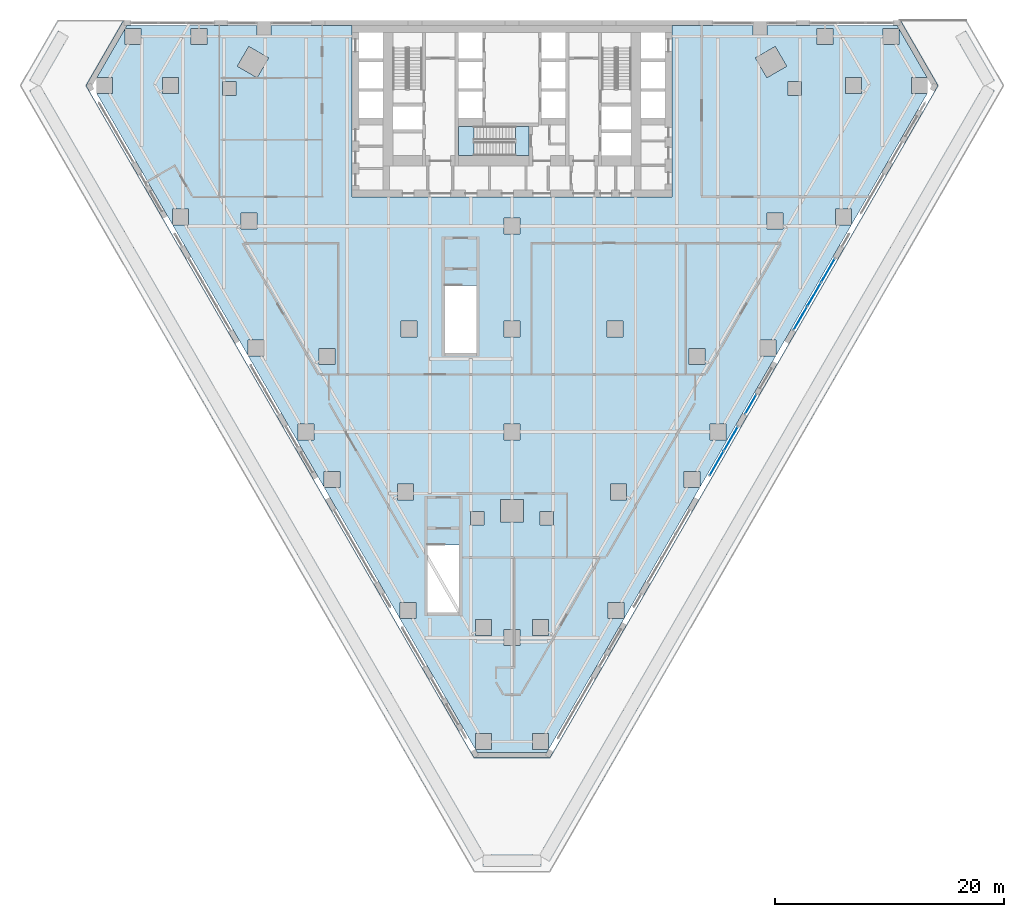
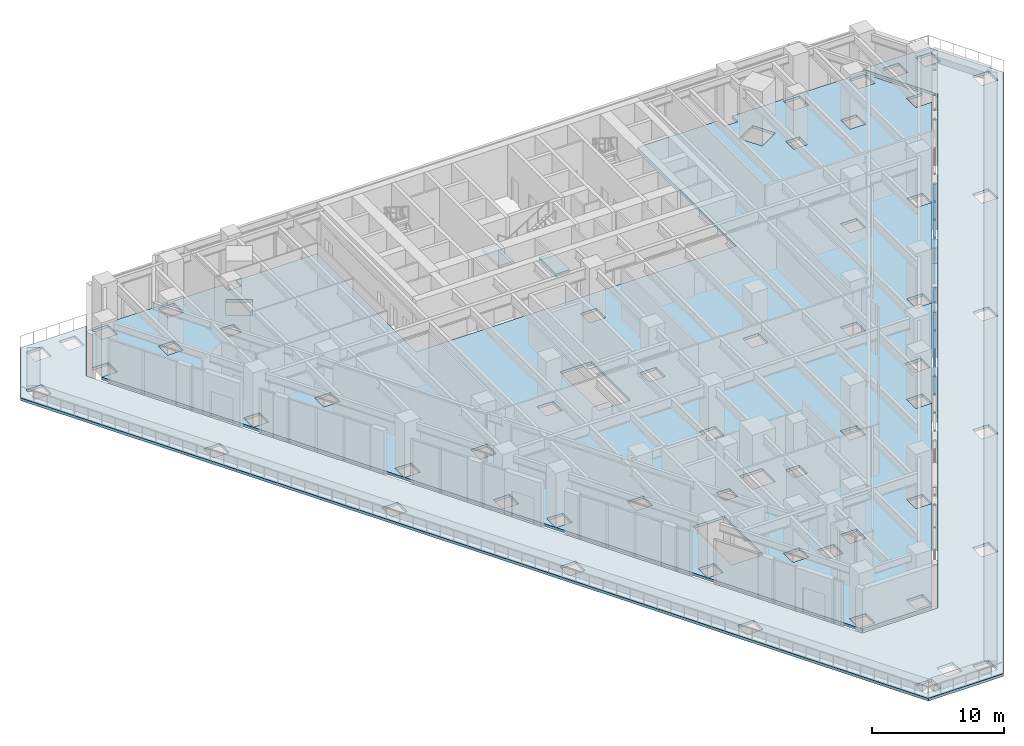
# One storey, part 18 of 31: 6 plates, 4 slabs, 4 elements without a shape of their own.
"""IFC4 building model written with IfcOpenShell, lengths in metres."""

from ifc_helpers import new_model, si_unit, direction, frame, origin, origin_2d, place, context, subcontext, project, spatial, polyline, rectangle, outline, extrude, material, layer, layer_set, type_object, element, aggregate, save


model = new_model("IFC4")

# Units and contexts
model_context = context("Model", 3, precision=1e-05, world=origin(), true_north=direction((0.0, 1.0)))
body_context = subcontext(model_context, "Body", "Model", "MODEL_VIEW")
ifc_project = project(units=[si_unit("LENGTHUNIT", "METRE"), si_unit("AREAUNIT", "SQUARE_METRE"), si_unit("VOLUMEUNIT", "CUBIC_METRE"), si_unit("PLANEANGLEUNIT", "RADIAN"), si_unit("MASSUNIT", "GRAM", prefix="KILO")], contexts=[model_context])

# Site, building, storey
site_placement = place(None, origin())
site = spatial("IfcSite", under=ifc_project, at=site_placement, CompositionType="ELEMENT")
building_placement = place(site_placement, origin())
building = spatial("IfcBuilding", under=site, at=building_placement, Name="Aloe Facet Convention Tower", CompositionType="ELEMENT")
storey_placement = place(building_placement, frame((0.0, 0.0, 25.0)))
storey = spatial("IfcBuildingStorey", under=building, at=storey_placement, Name="L04", CompositionType="ELEMENT", Elevation=25.0)

# Slab
ifc_material_1 = material(Name="Concrete C80/95", Category="concrete")
ifc_layer_1 = layer(ifc_material_1, 0.300048828125)
ifc_layer_set_1 = layer_set([ifc_layer_1], Name="CR-S-FLOOR300-C8095")
slab_type_1 = type_object("IfcSlabType", Name="CR-S-FLOOR300-C8095", PredefinedType="FLOOR", material=ifc_layer_set_1)
slab_1_placement = place(storey_placement, frame((0.0, 0.0, -0.300048828125)))
element("IfcSlab", 1, at=slab_1_placement, inside=storey, type_object=slab_type_1, Name="Stair landing floor L04", PredefinedType="FLOOR", context=body_context, shape_type="SweptSolid", body=[
    extrude(outline(polyline([(81.5, 125.699951171875), (80.298828125, 125.699951171875), (80.298828125, 123.14990234375), (81.5, 123.14990234375), (81.5, 125.699951171875)])), origin(), (0.0, 0.0, 1.0), 0.300048828125),
])

# Stair, slab
ifc_material_2 = material(Name="Concrete C50/60", Category="concrete")
stair_type = type_object("IfcStairType", Name="CR-ST-28R", PredefinedType="HALF_TURN_STAIR", material=ifc_material_2)
stair_placement = place(storey_placement, origin())
stair = element("IfcStair", 2, at=stair_placement, inside=storey, type_object=stair_type, Name="L04 Protected exit stair ST3", PredefinedType="HALF_TURN_STAIR")
ifc_material_3 = material(Name="Concrete C50/60", Category="concrete")
ifc_layer_2 = layer(ifc_material_3, 0.199951171875)
ifc_layer_set_2 = layer_set([ifc_layer_2], Name="CR-SL-LANDING")
slab_type_2 = type_object("IfcSlabType", Name="CR-SL-LANDING", PredefinedType="LANDING", material=ifc_layer_set_2)
slab_2_placement = place(storey_placement, frame((0.0, 0.0, 2.300048828125)))
slab_2 = element("IfcSlab", 3, at=slab_2_placement, type_object=slab_type_2, Name="ST3 landing 1", PredefinedType="LANDING", context=body_context, shape_type="SweptSolid", body=[
    extrude(outline(polyline([(76.659912109375, 125.699951171875), (75.300048828125, 125.699951171875), (75.300048828125, 123.14990234375), (76.659912109375, 123.14990234375), (76.659912109375, 125.699951171875)])), origin(), (0.0, 0.0, 1.0), 0.199951171875),
])
aggregate(stair, [slab_2])

# Curtain wall, plates
ifc_material_4 = material(Name="Aluminium, anodised", Category="aluminium")
curtain_wall_type = type_object("IfcCurtainWallType", Name="EV-CW-HALL", PredefinedType="USERDEFINED", material=ifc_material_4)
curtain_wall_1_placement = place(storey_placement, origin())
curtain_wall_1 = element("IfcCurtainWall", 4, at=curtain_wall_1_placement, inside=storey, type_object=curtain_wall_type, Name="CW-L04-E08", ObjectType="UNITISED HALL GLAZING", PredefinedType="USERDEFINED")
ifc_material_5 = material(Name="Clear double glazing", Category="glass")
ifc_layer_3 = layer(ifc_material_5, 0.035888671875)
ifc_layer_set_3 = layer_set([ifc_layer_3], Name="EV-PANEL-HALL")
plate_type = type_object("IfcPlateType", Name="EV-PANEL-HALL", PredefinedType="CURTAIN_PANEL", material=ifc_layer_set_3)
plate_1_placement = place(storey_placement, frame((97.910400390625, 96.2421875, -0.18505859375), z_axis=(0.0, 0.0, 1.0), x_axis=(0.499999999955, 0.866025403811, 0.0)))
plate_1 = element("IfcPlate", 5, at=plate_1_placement, type_object=plate_type, Name="CW-L04-E08 panel 1.1", PredefinedType="CURTAIN_PANEL", context=body_context, shape_type="SweptSolid", body=[
    extrude(rectangle(XDim=2.404296875, YDim=0.035888671875, at=origin_2d()), origin(), (0.0, 0.0, 1.0), 4.132568359375),
])
plate_2_placement = place(storey_placement, frame((99.14501953125, 98.380615234375, -0.18505859375), z_axis=(0.0, 0.0, 1.0), x_axis=(0.499999999955, 0.866025403811, 0.0)))
plate_2 = element("IfcPlate", 6, at=plate_2_placement, type_object=plate_type, Name="CW-L04-E08 panel 2.1", PredefinedType="CURTAIN_PANEL", context=body_context, shape_type="SweptSolid", body=[
    extrude(rectangle(XDim=2.404296875, YDim=0.035888671875, at=origin_2d()), origin(), (0.0, 0.0, 1.0), 4.132568359375),
])
aggregate(curtain_wall_1, [plate_1, plate_2])

# Curtain wall, plate
curtain_wall_2_placement = place(storey_placement, origin())
curtain_wall_2 = element("IfcCurtainWall", 7, at=curtain_wall_2_placement, inside=storey, type_object=curtain_wall_type, Name="CW-L04-E10A", ObjectType="UNITISED HALL GLAZING", PredefinedType="USERDEFINED")
plate_3_placement = place(storey_placement, frame((100.889404296875, 101.402099609375, -0.18505859375), z_axis=(0.0, 0.0, 1.0), x_axis=(0.500000000242, 0.866025403645, 0.0)))
plate_3 = element("IfcPlate", 8, at=plate_3_placement, type_object=plate_type, Name="CW-L04-E10A panel 1.1", PredefinedType="CURTAIN_PANEL", context=body_context, shape_type="SweptSolid", body=[
    extrude(rectangle(XDim=1.913330078125, YDim=0.035888671875, at=origin_2d()), origin(), (0.0, 0.0, 1.0), 4.132568359375),
])
aggregate(curtain_wall_2, [plate_3])

# Curtain wall, plates
curtain_wall_3_placement = place(storey_placement, origin())
curtain_wall_3 = element("IfcCurtainWall", 9, at=curtain_wall_3_placement, inside=storey, type_object=curtain_wall_type, Name="CW-L04-E12", ObjectType="UNITISED HALL GLAZING", PredefinedType="USERDEFINED")
plate_4_placement = place(storey_placement, frame((105.2373046875, 108.932861328125, -0.18505859375), z_axis=(0.0, 0.0, 1.0), x_axis=(0.500000000045, 0.866025403758, 0.0)))
plate_4 = element("IfcPlate", 10, at=plate_4_placement, type_object=plate_type, Name="CW-L04-E12 panel 1.1", PredefinedType="CURTAIN_PANEL", context=body_context, shape_type="SweptSolid", body=[
    extrude(rectangle(XDim=2.331298828125, YDim=0.035888671875, at=origin_2d()), origin(), (0.0, 0.0, 1.0), 4.132568359375),
])
plate_5_placement = place(storey_placement, frame((106.443603515625, 111.0224609375, -0.18505859375), z_axis=(0.0, 0.0, 1.0), x_axis=(0.500000000045, 0.866025403758, 0.0)))
plate_5 = element("IfcPlate", 11, at=plate_5_placement, type_object=plate_type, Name="CW-L04-E12 panel 2.1", PredefinedType="CURTAIN_PANEL", context=body_context, shape_type="SweptSolid", body=[
    extrude(rectangle(XDim=2.364013671875, YDim=0.035888671875, at=origin_2d()), origin(), (0.0, 0.0, 1.0), 4.132568359375),
])
plate_6_placement = place(storey_placement, frame((107.650146484375, 113.11181640625, -0.18505859375), z_axis=(0.0, 0.0, 1.0), x_axis=(0.500000000045, 0.866025403758, 0.0)))
plate_6 = element("IfcPlate", 12, at=plate_6_placement, type_object=plate_type, Name="CW-L04-E12 panel 3.1", PredefinedType="CURTAIN_PANEL", context=body_context, shape_type="SweptSolid", body=[
    extrude(rectangle(XDim=2.331298828125, YDim=0.035888671875, at=origin_2d()), origin(), (0.0, 0.0, 1.0), 4.132568359375),
])
aggregate(curtain_wall_3, [plate_4, plate_5, plate_6])

# Slabs
ifc_material_6 = material(Name="Concrete C35/45", Category="concrete")
ifc_layer_4 = layer(ifc_material_6, 0.25)
ifc_layer_set_4 = layer_set([ifc_layer_4], Name="SF-FS-250")
slab_type_3 = type_object("IfcSlabType", Name="SF-FS-250", PredefinedType="FLOOR", material=ifc_layer_set_4)
slab_3_placement = place(storey_placement, frame((0.0, 0.0, -0.25)))
element("IfcSlab", 13, at=slab_3_placement, inside=storey, type_object=slab_type_3, Name="Floor slab L04-1", PredefinedType="FLOOR", context=body_context, shape_type="SweptSolid", body=[
    extrude(outline(polyline([(113.83154296875, 134.300048828125), (112.43896484375, 134.300048828125), (112.43896484375, 132.89990234375), (113.839111328125, 132.89990234375), (113.839111328125, 134.287109375), (116.323486328125, 129.98388671875), (114.929931640625, 129.98388671875), (114.929931640625, 128.583984375), (116.322998046875, 128.583984375), (109.702880859375, 117.11767578125), (109.702880859375, 118.5048828125), (108.302978515625, 118.5048828125), (108.302978515625, 117.10498046875), (109.69580078125, 117.10498046875), (103.074951171875, 105.6376953125), (103.074951171875, 107.02490234375), (101.675048828125, 107.02490234375), (101.675048828125, 105.625), (103.067626953125, 105.625), (96.447021484375, 94.15771484375), (96.447021484375, 95.544921875), (95.047119140625, 95.544921875), (95.047119140625, 94.14501953125), (96.439697265625, 94.14501953125), (89.819091796875, 82.677490234375), (89.819091796875, 84.06591796875), (88.4189453125, 84.06591796875), (88.4189453125, 82.666015625), (89.812255859375, 82.666015625), (83.19189453125, 71.19921875), (83.19189453125, 72.5859375), (81.7919921875, 72.5859375), (81.7919921875, 71.18603515625), (83.184326171875, 71.18603515625), (83.040283203125, 70.936279296875), (76.959716796875, 70.936279296875), (76.815673828125, 71.18603515625), (78.2080078125, 71.18603515625), (78.2080078125, 72.5859375), (76.80810546875, 72.5859375), (76.80810546875, 71.19921875), (70.187744140625, 82.666015625), (71.5810546875, 82.666015625), (71.5810546875, 84.06591796875), (70.180908203125, 84.06591796875), (70.180908203125, 82.677490234375), (63.560302734375, 94.14501953125), (64.952880859375, 94.14501953125), (64.952880859375, 95.544921875), (63.552978515625, 95.544921875), (63.552978515625, 94.15771484375), (56.932373046875, 105.625), (58.324951171875, 105.625), (58.324951171875, 107.02490234375), (56.925048828125, 107.02490234375), (56.925048828125, 105.6376953125), (50.30419921875, 117.10498046875), (51.697021484375, 117.10498046875), (51.697021484375, 118.5048828125), (50.297119140625, 118.5048828125), (50.297119140625, 117.11767578125), (43.677001953125, 128.583984375), (45.070068359375, 128.583984375), (45.070068359375, 129.98388671875), (43.676513671875, 129.98388671875), (46.160888671875, 134.287109375), (46.160888671875, 132.89990234375), (47.56103515625, 132.89990234375), (47.56103515625, 134.300048828125), (46.16845703125, 134.300048828125), (46.312744140625, 134.550048828125), (57.699951171875, 134.550048828125), (57.699951171875, 133.699951171875), (58.89990234375, 133.699951171875), (58.89990234375, 134.550048828125), (66.0, 134.550048828125), (66.0, 131.949951171875), (66.0, 131.050048828125), (66.0, 129.35009765625), (66.0, 128.449951171875), (66.0, 126.449951171875), (66.0, 125.85009765625), (66.0, 124.5), (66.0, 123.449951171875), (66.0, 122.550048828125), (66.0, 121.5), (66.0, 119.550048828125), (69.300048828125, 119.550048828125), (72.10009765625, 119.550048828125), (73.14990234375, 119.550048828125), (74.300048828125, 119.550048828125), (75.35009765625, 119.550048828125), (77.5, 119.550048828125), (78.550048828125, 119.550048828125), (80.699951171875, 119.550048828125), (81.75, 119.550048828125), (82.64990234375, 119.550048828125), (83.699951171875, 119.550048828125), (84.64990234375, 119.550048828125), (85.699951171875, 119.550048828125), (86.85009765625, 119.550048828125), (87.89990234375, 119.550048828125), (88.550048828125, 119.550048828125), (89.60009765625, 119.550048828125), (90.699951171875, 119.550048828125), (91.300048828125, 119.550048828125), (94.0, 119.550048828125), (94.0, 121.7841796875), (94.0, 122.834228515625), (94.0, 123.923583984375), (94.0, 124.9736328125), (94.0, 125.85009765625), (94.0, 126.449951171875), (94.0, 128.449951171875), (94.0, 129.35009765625), (94.0, 131.050048828125), (94.0, 131.949951171875), (94.0, 134.550048828125), (101.10009765625, 134.550048828125), (101.10009765625, 133.699951171875), (102.300048828125, 133.699951171875), (102.300048828125, 134.550048828125), (113.687255859375, 134.550048828125), (113.83154296875, 134.300048828125)]), holes=[polyline([(69.967041015625, 93.035888671875), (71.366943359375, 93.035888671875), (71.366943359375, 94.43603515625), (69.967041015625, 94.43603515625), (69.967041015625, 93.035888671875)]), polyline([(61.300048828125, 98.300048828125), (62.699951171875, 98.300048828125), (62.699951171875, 99.699951171875), (61.300048828125, 99.699951171875), (61.300048828125, 98.300048828125)]), polyline([(63.1259765625, 104.885009765625), (64.52587890625, 104.885009765625), (64.52587890625, 106.284912109375), (63.1259765625, 106.284912109375), (63.1259765625, 104.885009765625)]), polyline([(56.283935546875, 116.735107421875), (57.68408203125, 116.735107421875), (57.68408203125, 118.135009765625), (56.283935546875, 118.135009765625), (56.283935546875, 116.735107421875)]), polyline([(54.65625, 128.427978515625), (55.856201171875, 128.427978515625), (55.856201171875, 129.6279296875), (54.65625, 129.6279296875), (54.65625, 128.427978515625)]), polyline([(49.443115234375, 128.583984375), (50.843017578125, 128.583984375), (50.843017578125, 129.98388671875), (49.443115234375, 129.98388671875), (49.443115234375, 128.583984375)]), polyline([(58.70166015625, 131.7080078125), (56.969482421875, 132.7080078125), (55.969482421875, 130.97607421875), (57.70166015625, 129.97607421875), (58.70166015625, 131.7080078125)]), polyline([(51.93505859375, 132.89990234375), (53.3349609375, 132.89990234375), (53.3349609375, 134.300048828125), (51.93505859375, 134.300048828125), (51.93505859375, 132.89990234375)]), polyline([(79.300048828125, 80.300048828125), (80.699951171875, 80.300048828125), (80.699951171875, 81.699951171875), (79.300048828125, 81.699951171875), (79.300048828125, 80.300048828125)]), polyline([(81.7919921875, 81.18603515625), (83.19189453125, 81.18603515625), (83.19189453125, 82.5859375), (81.7919921875, 82.5859375), (81.7919921875, 81.18603515625)]), polyline([(76.80810546875, 81.18603515625), (78.2080078125, 81.18603515625), (78.2080078125, 82.5859375), (76.80810546875, 82.5859375), (76.80810546875, 81.18603515625)]), polyline([(72.625, 83.199951171875), (75.375, 83.199951171875), (75.375, 89.098876953125), (72.625, 89.098876953125), (72.625, 83.199951171875)]), polyline([(82.44384765625, 90.842529296875), (83.643798828125, 90.842529296875), (83.643798828125, 92.04248046875), (82.44384765625, 92.04248046875), (82.44384765625, 90.842529296875)]), polyline([(76.356201171875, 90.842529296875), (77.55615234375, 90.842529296875), (77.55615234375, 92.04248046875), (76.356201171875, 92.04248046875), (76.356201171875, 90.842529296875)]), polyline([(79.0, 93.086181640625), (79.0, 91.086181640625), (81.0, 91.086181640625), (81.0, 93.086181640625), (79.0, 93.086181640625)]), polyline([(79.300048828125, 98.300048828125), (80.699951171875, 98.300048828125), (80.699951171875, 99.699951171875), (79.300048828125, 99.699951171875), (79.300048828125, 98.300048828125)]), polyline([(88.300048828125, 107.300048828125), (89.699951171875, 107.300048828125), (89.699951171875, 108.699951171875), (88.300048828125, 108.699951171875), (88.300048828125, 107.300048828125)]), polyline([(70.300048828125, 107.300048828125), (71.699951171875, 107.300048828125), (71.699951171875, 108.699951171875), (70.300048828125, 108.699951171875), (70.300048828125, 107.300048828125)]), polyline([(79.300048828125, 107.300048828125), (80.699951171875, 107.300048828125), (80.699951171875, 108.699951171875), (79.300048828125, 108.699951171875), (79.300048828125, 107.300048828125)]), polyline([(74.125, 105.89990234375), (76.875, 105.89990234375), (76.875, 111.798828125), (74.125, 111.798828125), (74.125, 105.89990234375)]), polyline([(79.300048828125, 116.300048828125), (80.699951171875, 116.300048828125), (80.699951171875, 117.699951171875), (79.300048828125, 117.699951171875), (79.300048828125, 116.300048828125)]), polyline([(88.633056640625, 93.035888671875), (90.032958984375, 93.035888671875), (90.032958984375, 94.43603515625), (88.633056640625, 94.43603515625), (88.633056640625, 93.035888671875)]), polyline([(97.300048828125, 98.300048828125), (98.699951171875, 98.300048828125), (98.699951171875, 99.699951171875), (97.300048828125, 99.699951171875), (97.300048828125, 98.300048828125)]), polyline([(95.47412109375, 104.885009765625), (96.8740234375, 104.885009765625), (96.8740234375, 106.284912109375), (95.47412109375, 106.284912109375), (95.47412109375, 104.885009765625)]), polyline([(102.31591796875, 116.735107421875), (103.716064453125, 116.735107421875), (103.716064453125, 118.135009765625), (102.31591796875, 118.135009765625), (102.31591796875, 116.735107421875)]), polyline([(104.143798828125, 128.427978515625), (105.34375, 128.427978515625), (105.34375, 129.6279296875), (104.143798828125, 129.6279296875), (104.143798828125, 128.427978515625)]), polyline([(109.156982421875, 128.583984375), (110.556884765625, 128.583984375), (110.556884765625, 129.98388671875), (109.156982421875, 129.98388671875), (109.156982421875, 128.583984375)]), polyline([(102.29833984375, 129.97607421875), (104.030517578125, 130.97607421875), (103.030517578125, 132.7080078125), (101.29833984375, 131.7080078125), (102.29833984375, 129.97607421875)]), polyline([(106.6650390625, 132.89990234375), (108.06494140625, 132.89990234375), (108.06494140625, 134.300048828125), (106.6650390625, 134.300048828125), (106.6650390625, 132.89990234375)])]), origin(), (0.0, 0.0, 1.0), 0.25),
])
ifc_material_7 = material(Name="Concrete C35/45", Category="concrete")
ifc_layer_5 = layer(ifc_material_7, 0.25)
ifc_layer_set_5 = layer_set([ifc_layer_5], Name="SF-TS-250")
slab_type_4 = type_object("IfcSlabType", Name="SF-TS-250", PredefinedType="FLOOR", material=ifc_layer_set_5)
slab_4_placement = place(storey_placement, frame((0.0, 0.0, -0.25)))
element("IfcSlab", 14, at=slab_4_placement, inside=storey, type_object=slab_type_4, Name="Terrace slab PT-L04-1", PredefinedType="FLOOR", context=body_context, shape_type="SweptSolid", body=[
    extrude(outline(polyline([(123.0205078125, 129.2841796875), (83.300048828125, 60.486328125), (76.699951171875, 60.486328125), (36.9794921875, 129.2841796875), (40.279541015625, 135.0), (46.052978515625, 135.0), (42.7529296875, 129.2841796875), (76.699951171875, 70.486328125), (83.300048828125, 70.486328125), (117.2470703125, 129.2841796875), (113.947021484375, 135.0), (119.720458984375, 135.0), (123.0205078125, 129.2841796875)]), holes=[polyline([(70.426025390625, 74.666015625), (70.426025390625, 76.06591796875), (69.02587890625, 76.06591796875), (69.02587890625, 74.666015625), (70.426025390625, 74.666015625)]), polyline([(61.242919921875, 88.14501953125), (62.64306640625, 88.14501953125), (62.64306640625, 89.544921875), (61.242919921875, 89.544921875), (61.242919921875, 88.14501953125)]), polyline([(53.4609375, 101.625), (54.861083984375, 101.625), (54.861083984375, 103.02490234375), (53.4609375, 103.02490234375), (53.4609375, 101.625)]), polyline([(47.0791015625, 115.10498046875), (47.0791015625, 116.5048828125), (45.678955078125, 116.5048828125), (45.678955078125, 115.10498046875), (47.0791015625, 115.10498046875)]), polyline([(37.89599609375, 128.583984375), (39.2958984375, 128.583984375), (39.2958984375, 129.98388671875), (37.89599609375, 129.98388671875), (37.89599609375, 128.583984375)]), polyline([(43.258056640625, 132.89990234375), (44.657958984375, 132.89990234375), (44.657958984375, 134.300048828125), (43.258056640625, 134.300048828125), (43.258056640625, 132.89990234375)]), polyline([(40.387939453125, 132.89990234375), (41.7880859375, 132.89990234375), (41.7880859375, 134.300048828125), (40.387939453125, 134.300048828125), (40.387939453125, 132.89990234375)]), polyline([(76.80810546875, 61.18603515625), (78.2080078125, 61.18603515625), (78.2080078125, 62.5859375), (76.80810546875, 62.5859375), (76.80810546875, 61.18603515625)]), polyline([(81.7919921875, 61.18603515625), (83.19189453125, 61.18603515625), (83.19189453125, 62.5859375), (81.7919921875, 62.5859375), (81.7919921875, 61.18603515625)]), polyline([(80.699951171875, 62.300048828125), (80.699951171875, 63.699951171875), (79.300048828125, 63.699951171875), (79.300048828125, 62.300048828125), (80.699951171875, 62.300048828125)]), polyline([(89.573974609375, 74.666015625), (90.97412109375, 74.666015625), (90.97412109375, 76.06591796875), (89.573974609375, 76.06591796875), (89.573974609375, 74.666015625)]), polyline([(97.35693359375, 88.14501953125), (98.757080078125, 88.14501953125), (98.757080078125, 89.544921875), (97.35693359375, 89.544921875), (97.35693359375, 88.14501953125)]), polyline([(106.5390625, 101.625), (106.5390625, 103.02490234375), (105.138916015625, 103.02490234375), (105.138916015625, 101.625), (106.5390625, 101.625)]), polyline([(112.9208984375, 115.10498046875), (114.321044921875, 115.10498046875), (114.321044921875, 116.5048828125), (112.9208984375, 116.5048828125), (112.9208984375, 115.10498046875)]), polyline([(120.7041015625, 128.583984375), (122.10400390625, 128.583984375), (122.10400390625, 129.98388671875), (120.7041015625, 129.98388671875), (120.7041015625, 128.583984375)]), polyline([(115.342041015625, 132.89990234375), (116.741943359375, 132.89990234375), (116.741943359375, 134.300048828125), (115.342041015625, 134.300048828125), (115.342041015625, 132.89990234375)]), polyline([(118.2119140625, 132.89990234375), (119.612060546875, 132.89990234375), (119.612060546875, 134.300048828125), (118.2119140625, 134.300048828125), (118.2119140625, 132.89990234375)])]), origin(), (0.0, 0.0, 1.0), 0.25),
])

save(model, "model.ifc")
